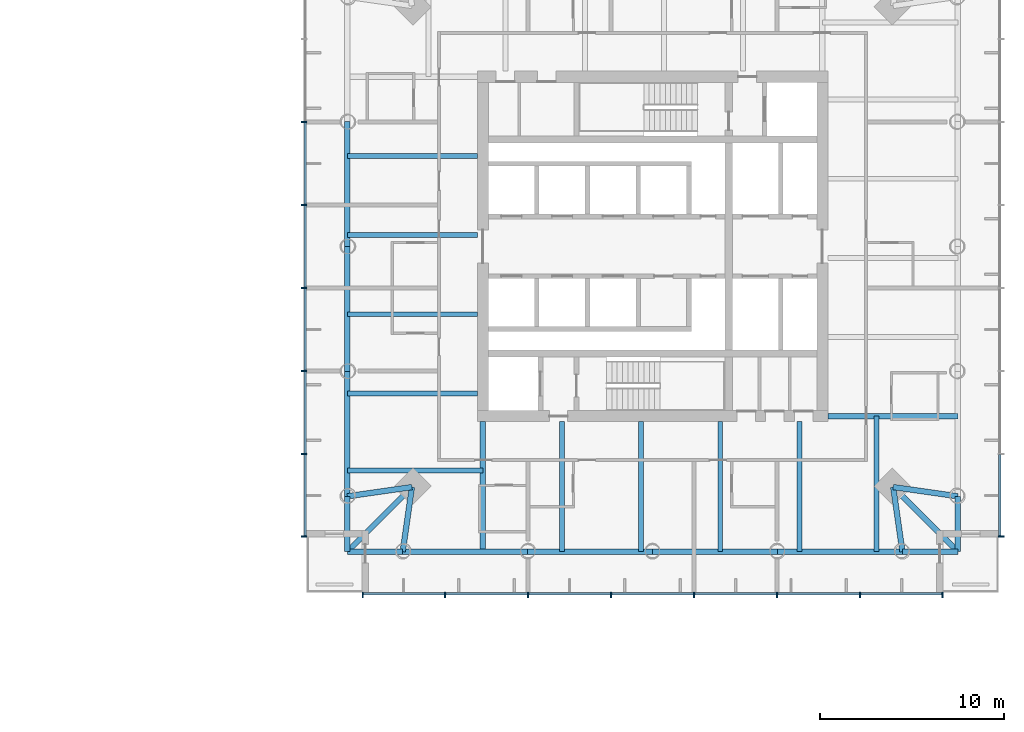
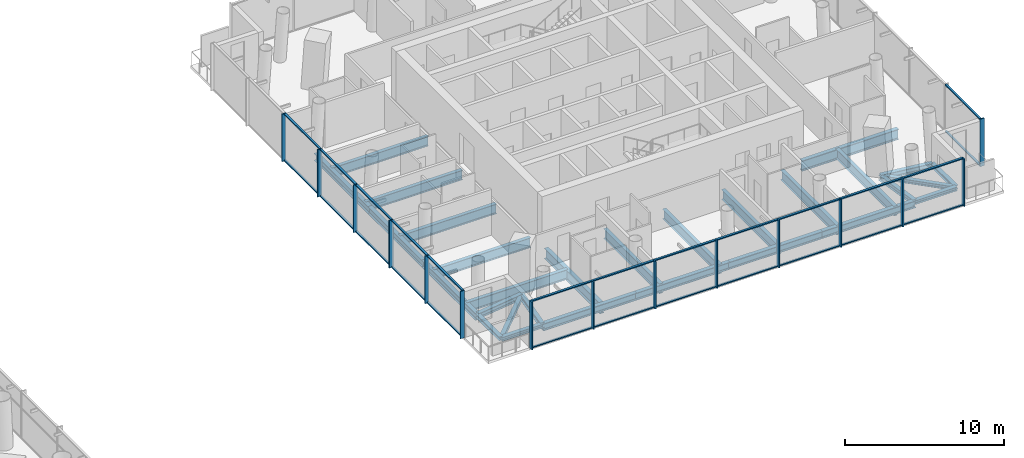
# One storey, part 6 of 24: 41 members, 29 beams, 3 elements without a shape of their own.
"""IFC4 building model written with IfcOpenShell, lengths in metres."""

from ifc_helpers import new_model, si_unit, direction, frame, origin, origin_2d, place, context, subcontext, project, spatial, rectangle, i_section, extrude, material, material_profile, profile_set, type_object, element, aggregate, save


model = new_model("IFC4")

# Units and contexts
model_context = context("Model", 3, precision=1e-05, world=origin(), true_north=direction((0.0, 1.0)))
body_context = subcontext(model_context, "Body", "Model", "MODEL_VIEW")
ifc_project = project(units=[si_unit("LENGTHUNIT", "METRE"), si_unit("AREAUNIT", "SQUARE_METRE"), si_unit("VOLUMEUNIT", "CUBIC_METRE"), si_unit("PLANEANGLEUNIT", "RADIAN"), si_unit("MASSUNIT", "GRAM", prefix="KILO")], contexts=[model_context])

# Site, building, storey
site_placement = place(None, origin())
site = spatial("IfcSite", under=ifc_project, at=site_placement, CompositionType="ELEMENT")
building_placement = place(site_placement, origin())
building = spatial("IfcBuilding", under=site, at=building_placement, Name="Ostroluk Exchange", CompositionType="ELEMENT")
storey_placement = place(building_placement, frame((0.0, 0.0, 78.0)))
storey = spatial("IfcBuildingStorey", under=building, at=storey_placement, Name="L19", CompositionType="ELEMENT", Elevation=78.0)

# Beams
ifc_material_1 = material(Name="Steel S355", Category="steel")
ifc_material_profile_1 = material_profile(ifc_material_1, i_section(OverallWidth=0.300048828125, OverallDepth=0.300048828125, WebThickness=0.010986328125, FlangeThickness=0.01904296875, FilletRadius=0.027099609375, at=origin_2d()), Name="HEB 300")
ifc_profile_set_1 = profile_set([ifc_material_profile_1], Name="Steel S355")
beam_type_1 = type_object("IfcBeamType", Name="Balcony beam HEB 300", PredefinedType="BEAM", material=ifc_profile_set_1)
for number, where, z_axis, x_axis, name in (
    (1, (100.456787109375, 32.456787109375, -0.35009765625), (0.0, -1.0, 0.0), (1.0, 0.0, 0.0), "T2 west balcony beam a"),
    (2, (103.456787109375, 29.456787109375, -0.35009765625), (-1.0, 0.0, 0.0), (0.0, -1.0, 0.0), "T2 west balcony beam b"),
):
    element("IfcBeam", number, at=place(storey_placement, frame(where, z_axis=z_axis, x_axis=x_axis)), inside=storey, type_object=beam_type_1, Name=name, PredefinedType="BEAM", context=body_context, shape_type="SweptSolid", body=[
        extrude(i_section(OverallWidth=0.300048828125, OverallDepth=0.300048828125, WebThickness=0.010986328125, FlangeThickness=0.01904296875, FilletRadius=0.027099609375, at=origin_2d()), origin(), (0.0, 0.0, 1.0), 3.0),
    ])
beam_1_placement = place(storey_placement, frame((103.956787109375, 32.956787109375, -0.35009765625), z_axis=(-0.707106781187, -0.707106781187, 0.0), x_axis=(0.707106781187, -0.707106781187, 0.0)))
element("IfcBeam", 3, at=beam_1_placement, inside=storey, type_object=beam_type_1, Name="T2 west balcony beam c", PredefinedType="BEAM", context=body_context, shape_type="SweptSolid", body=[
    extrude(i_section(OverallWidth=0.300048828125, OverallDepth=0.300048828125, WebThickness=0.010986328125, FlangeThickness=0.01904296875, FilletRadius=0.027099609375, at=origin_2d()), origin(), (0.0, 0.0, 1.0), 4.94970703125),
])
for number, where, z_axis, x_axis, name in (
    (4, (130.543212890625, 29.456787109375, -0.35009765625), (1.0, 0.0, 0.0), (0.0, 1.0, 0.0), "T2 south balcony beam a"),
    (5, (133.543212890625, 32.456787109375, -0.35009765625), (0.0, -1.0, 0.0), (1.0, 0.0, 0.0), "T2 south balcony beam b"),
):
    element("IfcBeam", number, at=place(storey_placement, frame(where, z_axis=z_axis, x_axis=x_axis)), inside=storey, type_object=beam_type_1, Name=name, PredefinedType="BEAM", context=body_context, shape_type="SweptSolid", body=[
        extrude(i_section(OverallWidth=0.300048828125, OverallDepth=0.300048828125, WebThickness=0.010986328125, FlangeThickness=0.01904296875, FilletRadius=0.027099609375, at=origin_2d()), origin(), (0.0, 0.0, 1.0), 3.0),
    ])
beam_2_placement = place(storey_placement, frame((130.043212890625, 32.956787109375, -0.35009765625), z_axis=(0.707106781187, -0.707106781187, 0.0), x_axis=(0.707106781187, 0.707106781187, 0.0)))
element("IfcBeam", 6, at=beam_2_placement, inside=storey, type_object=beam_type_1, Name="T2 south balcony beam c", PredefinedType="BEAM", context=body_context, shape_type="SweptSolid", body=[
    extrude(i_section(OverallWidth=0.300048828125, OverallDepth=0.300048828125, WebThickness=0.010986328125, FlangeThickness=0.01904296875, FilletRadius=0.027099609375, at=origin_2d()), origin(), (0.0, 0.0, 1.0), 4.94970703125),
])
ifc_material_2 = material(Name="Steel S355", Category="steel")
ifc_material_profile_2 = material_profile(ifc_material_2, i_section(OverallWidth=0.300048828125, OverallDepth=0.39990234375, WebThickness=0.013427734375, FlangeThickness=0.02392578125, FilletRadius=0.027099609375, at=origin_2d()), Name="HEB 400")
ifc_profile_set_2 = profile_set([ifc_material_profile_2], Name="Steel S355")
beam_type_2 = type_object("IfcBeamType", Name="Corner edge beam HEB 400", PredefinedType="SPANDREL", material=ifc_profile_set_2)
for number, where, z_axis, x_axis, name in (
    (7, (103.956787109375, 32.956787109375, -0.39990234375), (-0.989949493661, -0.141421356237, 0.0), (0.141421356237, -0.989949493661, 0.0), "T2 west corner edge beam a"),
    (8, (103.956787109375, 32.956787109375, -0.39990234375), (-0.141421356237, -0.989949493661, 0.0), (0.989949493661, -0.141421356237, 0.0), "T2 west corner edge beam b"),
    (9, (130.043212890625, 32.956787109375, -0.39990234375), (0.141421356237, -0.989949493661, 0.0), (0.989949493661, 0.141421356237, 0.0), "T2 south corner edge beam a"),
    (10, (130.043212890625, 32.956787109375, -0.39990234375), (0.989949493661, -0.141421356237, 0.0), (0.141421356237, 0.989949493661, 0.0), "T2 south corner edge beam b"),
):
    element("IfcBeam", number, at=place(storey_placement, frame(where, z_axis=z_axis, x_axis=x_axis)), inside=storey, type_object=beam_type_2, Name=name, PredefinedType="SPANDREL", context=body_context, shape_type="SweptSolid", body=[
        extrude(i_section(OverallWidth=0.300048828125, OverallDepth=0.39990234375, WebThickness=0.013427734375, FlangeThickness=0.02392578125, FilletRadius=0.027099609375, at=origin_2d()), origin(), (0.0, 0.0, 1.0), 3.53564453125),
    ])
ifc_material_3 = material(Name="Steel S355", Category="steel")
ifc_material_profile_3 = material_profile(ifc_material_3, i_section(OverallWidth=0.264892578125, OverallDepth=0.7529296875, WebThickness=0.01318359375, FlangeThickness=0.01708984375, FilletRadius=0.01708984375, at=origin_2d()), Name="IPE 750x147")
ifc_profile_set_3 = profile_set([ifc_material_profile_3], Name="Steel S355")
beam_type_3 = type_object("IfcBeamType", Name="Floor beam IPE 750x147", PredefinedType="BEAM", material=ifc_profile_set_3)
for number, where, z_axis, x_axis, name in (
    (11, (107.5, 50.909423828125, -0.576416015625), (-1.0, 0.0, 0.0), (0.0, -1.0, 0.0), "T2 west floor beam 1"),
    (12, (107.5, 46.618896484375, -0.576416015625), (-1.0, 0.0, 0.0), (0.0, -1.0, 0.0), "T2 west floor beam 2"),
    (13, (107.5, 42.328369140625, -0.576416015625), (-1.0, 0.0, 0.0), (0.0, -1.0, 0.0), "T2 west floor beam 3"),
    (14, (107.5, 38.037841796875, -0.576416015625), (-1.0, 0.0, 0.0), (0.0, -1.0, 0.0), "T2 west floor beam 4"),
):
    element("IfcBeam", number, at=place(storey_placement, frame(where, z_axis=z_axis, x_axis=x_axis)), inside=storey, type_object=beam_type_3, Name=name, PredefinedType="BEAM", context=body_context, shape_type="SweptSolid", body=[
        extrude(i_section(OverallWidth=0.264892578125, OverallDepth=0.7529296875, WebThickness=0.01318359375, FlangeThickness=0.01708984375, FilletRadius=0.01708984375, at=origin_2d()), origin(), (0.0, 0.0, 1.0), 7.043212890625),
    ])
beam_3_placement = place(storey_placement, frame((107.800048828125, 33.85693359375, -0.576416015625), z_axis=(-1.0, 0.0, 0.0), x_axis=(0.0, -1.0, 0.0)))
element("IfcBeam", 15, at=beam_3_placement, inside=storey, type_object=beam_type_3, Name="T2 west floor beam 5", PredefinedType="BEAM", context=body_context, shape_type="SweptSolid", body=[
    extrude(i_section(OverallWidth=0.264892578125, OverallDepth=0.7529296875, WebThickness=0.01318359375, FlangeThickness=0.01708984375, FilletRadius=0.01708984375, at=origin_2d()), origin(), (0.0, 0.0, 1.0), 7.34326171875),
])
for number, where, z_axis, x_axis, name in (
    (16, (112.090576171875, 36.5, -0.576416015625), (0.0, -1.0, 0.0), (1.0, 0.0, 0.0), "T2 south floor beam 1"),
    (17, (116.381103515625, 36.5, -0.576416015625), (0.0, -1.0, 0.0), (1.0, 0.0, 0.0), "T2 south floor beam 2"),
    (18, (120.671630859375, 36.5, -0.576416015625), (0.0, -1.0, 0.0), (1.0, 0.0, 0.0), "T2 south floor beam 3"),
    (19, (124.962158203125, 36.5, -0.576416015625), (0.0, -1.0, 0.0), (1.0, 0.0, 0.0), "T2 south floor beam 4"),
):
    element("IfcBeam", number, at=place(storey_placement, frame(where, z_axis=z_axis, x_axis=x_axis)), inside=storey, type_object=beam_type_3, Name=name, PredefinedType="BEAM", context=body_context, shape_type="SweptSolid", body=[
        extrude(i_section(OverallWidth=0.264892578125, OverallDepth=0.7529296875, WebThickness=0.01318359375, FlangeThickness=0.01708984375, FilletRadius=0.01708984375, at=origin_2d()), origin(), (0.0, 0.0, 1.0), 7.043212890625),
    ])
beam_4_placement = place(storey_placement, frame((129.14306640625, 36.800048828125, -0.576416015625), z_axis=(0.0, -1.0, 0.0), x_axis=(1.0, 0.0, 0.0)))
element("IfcBeam", 20, at=beam_4_placement, inside=storey, type_object=beam_type_3, Name="T2 south floor beam 5", PredefinedType="BEAM", context=body_context, shape_type="SweptSolid", body=[
    extrude(i_section(OverallWidth=0.264892578125, OverallDepth=0.7529296875, WebThickness=0.01318359375, FlangeThickness=0.01708984375, FilletRadius=0.01708984375, at=origin_2d()), origin(), (0.0, 0.0, 1.0), 7.34326171875),
])
ifc_material_4 = material(Name="Steel S355", Category="steel")
ifc_material_profile_4 = material_profile(ifc_material_4, i_section(OverallWidth=0.300048828125, OverallDepth=0.800048828125, WebThickness=0.017578125, FlangeThickness=0.032958984375, FilletRadius=0.030029296875, at=origin_2d()), Name="HEB 800")
ifc_profile_set_4 = profile_set([ifc_material_profile_4], Name="Steel S355")
beam_type_4 = type_object("IfcBeamType", Name="Girder HEB 800", PredefinedType="BEAM", material=ifc_profile_set_4)
for number, where, z_axis, x_axis, name in (
    (21, (107.800048828125, 36.5, -0.60009765625), (0.0, -1.0, 0.0), (1.0, 0.0, 0.0), "T2 west girder"),
    (22, (126.5, 36.800048828125, -0.60009765625), (1.0, 0.0, 0.0), (0.0, 1.0, 0.0), "T2 south girder"),
):
    element("IfcBeam", number, at=place(storey_placement, frame(where, z_axis=z_axis, x_axis=x_axis)), inside=storey, type_object=beam_type_4, Name=name, PredefinedType="BEAM", context=body_context, shape_type="SweptSolid", body=[
        extrude(i_section(OverallWidth=0.300048828125, OverallDepth=0.800048828125, WebThickness=0.017578125, FlangeThickness=0.032958984375, FilletRadius=0.030029296875, at=origin_2d()), origin(), (0.0, 0.0, 1.0), 7.043212890625),
    ])
ifc_material_5 = material(Name="Steel S355", Category="steel")
ifc_material_profile_5 = material_profile(ifc_material_5, i_section(OverallWidth=0.300048828125, OverallDepth=0.550048828125, WebThickness=0.014892578125, FlangeThickness=0.029052734375, FilletRadius=0.027099609375, at=origin_2d()), Name="HEB 550")
ifc_profile_set_5 = profile_set([ifc_material_profile_5], Name="Steel S355")
beam_type_5 = type_object("IfcBeamType", Name="Moment-connected edge beam HEB 550", PredefinedType="SPANDREL", material=ifc_profile_set_5)
for number, where, z_axis, x_axis, name in (
    (23, (100.456787109375, 52.771484375, -0.47509765625), (0.0, -1.0, 0.0), (1.0, 0.0, 0.0), "T2 west edge beam 2"),
    (24, (100.456787109375, 46.0, -0.47509765625), (0.0, -1.0, 0.0), (1.0, 0.0, 0.0), "T2 west edge beam 3"),
):
    element("IfcBeam", number, at=place(storey_placement, frame(where, z_axis=z_axis, x_axis=x_axis)), inside=storey, type_object=beam_type_5, Name=name, PredefinedType="SPANDREL", context=body_context, shape_type="SweptSolid", body=[
        extrude(i_section(OverallWidth=0.300048828125, OverallDepth=0.550048828125, WebThickness=0.014892578125, FlangeThickness=0.029052734375, FilletRadius=0.027099609375, at=origin_2d()), origin(), (0.0, 0.0, 1.0), 6.771484375),
    ])
for number, where, z_axis, x_axis, name in (
    (25, (100.456787109375, 39.228515625, -0.47509765625), (0.0, -1.0, 0.0), (1.0, 0.0, 0.0), "T2 west edge beam 4"),
    (26, (103.456787109375, 29.456787109375, -0.47509765625), (1.0, 0.0, 0.0), (0.0, 1.0, 0.0), "T2 south edge beam 1"),
):
    element("IfcBeam", number, at=place(storey_placement, frame(where, z_axis=z_axis, x_axis=x_axis)), inside=storey, type_object=beam_type_5, Name=name, PredefinedType="SPANDREL", context=body_context, shape_type="SweptSolid", body=[
        extrude(i_section(OverallWidth=0.300048828125, OverallDepth=0.550048828125, WebThickness=0.014892578125, FlangeThickness=0.029052734375, FilletRadius=0.027099609375, at=origin_2d()), origin(), (0.0, 0.0, 1.0), 6.771728515625),
    ])
for number, where, z_axis, x_axis, name in (
    (27, (110.228515625, 29.456787109375, -0.47509765625), (1.0, 0.0, 0.0), (0.0, 1.0, 0.0), "T2 south edge beam 2"),
    (28, (117.0, 29.456787109375, -0.47509765625), (1.0, 0.0, 0.0), (0.0, 1.0, 0.0), "T2 south edge beam 3"),
):
    element("IfcBeam", number, at=place(storey_placement, frame(where, z_axis=z_axis, x_axis=x_axis)), inside=storey, type_object=beam_type_5, Name=name, PredefinedType="SPANDREL", context=body_context, shape_type="SweptSolid", body=[
        extrude(i_section(OverallWidth=0.300048828125, OverallDepth=0.550048828125, WebThickness=0.014892578125, FlangeThickness=0.029052734375, FilletRadius=0.027099609375, at=origin_2d()), origin(), (0.0, 0.0, 1.0), 6.771484375),
    ])
beam_5_placement = place(storey_placement, frame((123.771484375, 29.456787109375, -0.47509765625), z_axis=(1.0, 0.0, 0.0), x_axis=(0.0, 1.0, 0.0)))
element("IfcBeam", 29, at=beam_5_placement, inside=storey, type_object=beam_type_5, Name="T2 south edge beam 4", PredefinedType="SPANDREL", context=body_context, shape_type="SweptSolid", body=[
    extrude(i_section(OverallWidth=0.300048828125, OverallDepth=0.550048828125, WebThickness=0.014892578125, FlangeThickness=0.029052734375, FilletRadius=0.027099609375, at=origin_2d()), origin(), (0.0, 0.0, 1.0), 6.771728515625),
])

# Curtain wall, members
ifc_material_6 = material(Name="Laminated clear glass", Category="glass")
curtain_wall_type = type_object("IfcCurtainWallType", Name="Hotel guest floor facade", PredefinedType="USERDEFINED", material=ifc_material_6)
curtain_wall_1_placement = place(storey_placement, origin())
curtain_wall_1 = element("IfcCurtainWall", 30, at=curtain_wall_1_placement, inside=storey, type_object=curtain_wall_type, Name="Hotel tower south facade L19", ObjectType="UNITISED CURTAIN WALL", PredefinedType="USERDEFINED")
ifc_material_7 = material(Name="Aluminium mullion", Category="aluminium")
ifc_material_profile_6 = material_profile(ifc_material_7, rectangle(XDim=0.14990234375, YDim=0.080078125, at=origin_2d()), Name="Sill transom 80 x 150")
ifc_profile_set_6 = profile_set([ifc_material_profile_6], Name="Aluminium mullion")
member_type_1 = type_object("IfcMemberType", Name="Sill transom 80 x 150", PredefinedType="USERDEFINED", material=ifc_profile_set_6)
member_1_placement = place(storey_placement, frame((101.330078125, 27.175048828125, 0.0400390625), z_axis=(1.0, 0.0, 0.0), x_axis=(0.0, 1.0, 0.0)))
member_1 = element("IfcMember", 31, at=member_1_placement, type_object=member_type_1, Name="CW-H1 transom 1.1", ObjectType="TRANSOM", PredefinedType="USERDEFINED", context=body_context, shape_type="SweptSolid", body=[
    extrude(rectangle(XDim=0.14990234375, YDim=0.080078125, at=origin_2d()), origin(), (0.0, 0.0, 1.0), 4.3798828125),
])
member_2_placement = place(storey_placement, frame((101.330078125, 27.175048828125, 3.610107421875), z_axis=(1.0, 0.0, 0.0), x_axis=(0.0, 1.0, 0.0)))
member_2 = element("IfcMember", 32, at=member_2_placement, type_object=member_type_1, Name="CW-H1 transom 1.2", ObjectType="TRANSOM", PredefinedType="USERDEFINED", context=body_context, shape_type="SweptSolid", body=[
    extrude(rectangle(XDim=0.14990234375, YDim=0.080078125, at=origin_2d()), origin(), (0.0, 0.0, 1.0), 4.3798828125),
])
member_3_placement = place(storey_placement, frame((105.7900390625, 27.175048828125, 0.0400390625), z_axis=(1.0, 0.0, 0.0), x_axis=(0.0, 1.0, 0.0)))
member_3 = element("IfcMember", 33, at=member_3_placement, type_object=member_type_1, Name="CW-H1 transom 2.1", ObjectType="TRANSOM", PredefinedType="USERDEFINED", context=body_context, shape_type="SweptSolid", body=[
    extrude(rectangle(XDim=0.14990234375, YDim=0.080078125, at=origin_2d()), origin(), (0.0, 0.0, 1.0), 4.419921875),
])
member_4_placement = place(storey_placement, frame((105.7900390625, 27.175048828125, 3.610107421875), z_axis=(1.0, 0.0, 0.0), x_axis=(0.0, 1.0, 0.0)))
member_4 = element("IfcMember", 34, at=member_4_placement, type_object=member_type_1, Name="CW-H1 transom 2.2", ObjectType="TRANSOM", PredefinedType="USERDEFINED", context=body_context, shape_type="SweptSolid", body=[
    extrude(rectangle(XDim=0.14990234375, YDim=0.080078125, at=origin_2d()), origin(), (0.0, 0.0, 1.0), 4.419921875),
])
member_5_placement = place(storey_placement, frame((110.2900390625, 27.175048828125, 0.0400390625), z_axis=(1.0, 0.0, 0.0), x_axis=(0.0, 1.0, 0.0)))
member_5 = element("IfcMember", 35, at=member_5_placement, type_object=member_type_1, Name="CW-H1 transom 3.1", ObjectType="TRANSOM", PredefinedType="USERDEFINED", context=body_context, shape_type="SweptSolid", body=[
    extrude(rectangle(XDim=0.14990234375, YDim=0.080078125, at=origin_2d()), origin(), (0.0, 0.0, 1.0), 4.419921875),
])
member_6_placement = place(storey_placement, frame((110.2900390625, 27.175048828125, 3.610107421875), z_axis=(1.0, 0.0, 0.0), x_axis=(0.0, 1.0, 0.0)))
member_6 = element("IfcMember", 36, at=member_6_placement, type_object=member_type_1, Name="CW-H1 transom 3.2", ObjectType="TRANSOM", PredefinedType="USERDEFINED", context=body_context, shape_type="SweptSolid", body=[
    extrude(rectangle(XDim=0.14990234375, YDim=0.080078125, at=origin_2d()), origin(), (0.0, 0.0, 1.0), 4.419921875),
])
member_7_placement = place(storey_placement, frame((114.7900390625, 27.175048828125, 0.0400390625), z_axis=(1.0, 0.0, 0.0), x_axis=(0.0, 1.0, 0.0)))
member_7 = element("IfcMember", 37, at=member_7_placement, type_object=member_type_1, Name="CW-H1 transom 4.1", ObjectType="TRANSOM", PredefinedType="USERDEFINED", context=body_context, shape_type="SweptSolid", body=[
    extrude(rectangle(XDim=0.14990234375, YDim=0.080078125, at=origin_2d()), origin(), (0.0, 0.0, 1.0), 4.419921875),
])
member_8_placement = place(storey_placement, frame((114.7900390625, 27.175048828125, 3.610107421875), z_axis=(1.0, 0.0, 0.0), x_axis=(0.0, 1.0, 0.0)))
member_8 = element("IfcMember", 38, at=member_8_placement, type_object=member_type_1, Name="CW-H1 transom 4.2", ObjectType="TRANSOM", PredefinedType="USERDEFINED", context=body_context, shape_type="SweptSolid", body=[
    extrude(rectangle(XDim=0.14990234375, YDim=0.080078125, at=origin_2d()), origin(), (0.0, 0.0, 1.0), 4.419921875),
])
member_9_placement = place(storey_placement, frame((119.2900390625, 27.175048828125, 0.0400390625), z_axis=(1.0, 0.0, 0.0), x_axis=(0.0, 1.0, 0.0)))
member_9 = element("IfcMember", 39, at=member_9_placement, type_object=member_type_1, Name="CW-H1 transom 5.1", ObjectType="TRANSOM", PredefinedType="USERDEFINED", context=body_context, shape_type="SweptSolid", body=[
    extrude(rectangle(XDim=0.14990234375, YDim=0.080078125, at=origin_2d()), origin(), (0.0, 0.0, 1.0), 4.419921875),
])
member_10_placement = place(storey_placement, frame((119.2900390625, 27.175048828125, 3.610107421875), z_axis=(1.0, 0.0, 0.0), x_axis=(0.0, 1.0, 0.0)))
member_10 = element("IfcMember", 40, at=member_10_placement, type_object=member_type_1, Name="CW-H1 transom 5.2", ObjectType="TRANSOM", PredefinedType="USERDEFINED", context=body_context, shape_type="SweptSolid", body=[
    extrude(rectangle(XDim=0.14990234375, YDim=0.080078125, at=origin_2d()), origin(), (0.0, 0.0, 1.0), 4.419921875),
])
member_11_placement = place(storey_placement, frame((123.7900390625, 27.175048828125, 0.0400390625), z_axis=(1.0, 0.0, 0.0), x_axis=(0.0, 1.0, 0.0)))
member_11 = element("IfcMember", 41, at=member_11_placement, type_object=member_type_1, Name="CW-H1 transom 6.1", ObjectType="TRANSOM", PredefinedType="USERDEFINED", context=body_context, shape_type="SweptSolid", body=[
    extrude(rectangle(XDim=0.14990234375, YDim=0.080078125, at=origin_2d()), origin(), (0.0, 0.0, 1.0), 4.419921875),
])
member_12_placement = place(storey_placement, frame((123.7900390625, 27.175048828125, 3.610107421875), z_axis=(1.0, 0.0, 0.0), x_axis=(0.0, 1.0, 0.0)))
member_12 = element("IfcMember", 42, at=member_12_placement, type_object=member_type_1, Name="CW-H1 transom 6.2", ObjectType="TRANSOM", PredefinedType="USERDEFINED", context=body_context, shape_type="SweptSolid", body=[
    extrude(rectangle(XDim=0.14990234375, YDim=0.080078125, at=origin_2d()), origin(), (0.0, 0.0, 1.0), 4.419921875),
])
member_13_placement = place(storey_placement, frame((128.2900390625, 27.175048828125, 0.0400390625), z_axis=(1.0, 0.0, 0.0), x_axis=(0.0, 1.0, 0.0)))
member_13 = element("IfcMember", 43, at=member_13_placement, type_object=member_type_1, Name="CW-H1 transom 7.1", ObjectType="TRANSOM", PredefinedType="USERDEFINED", context=body_context, shape_type="SweptSolid", body=[
    extrude(rectangle(XDim=0.14990234375, YDim=0.080078125, at=origin_2d()), origin(), (0.0, 0.0, 1.0), 4.3798828125),
])
member_14_placement = place(storey_placement, frame((128.2900390625, 27.175048828125, 3.610107421875), z_axis=(1.0, 0.0, 0.0), x_axis=(0.0, 1.0, 0.0)))
member_14 = element("IfcMember", 44, at=member_14_placement, type_object=member_type_1, Name="CW-H1 transom 7.2", ObjectType="TRANSOM", PredefinedType="USERDEFINED", context=body_context, shape_type="SweptSolid", body=[
    extrude(rectangle(XDim=0.14990234375, YDim=0.080078125, at=origin_2d()), origin(), (0.0, 0.0, 1.0), 4.3798828125),
])

curtain_wall_2_placement = place(storey_placement, origin())
curtain_wall_2 = element("IfcCurtainWall", 45, at=curtain_wall_2_placement, inside=storey, type_object=curtain_wall_type, Name="Hotel tower east facade L19", ObjectType="UNITISED CURTAIN WALL", PredefinedType="USERDEFINED")
member_15_placement = place(storey_placement, frame((135.824951171875, 30.330078125, 0.0400390625), z_axis=(0.0, 1.0, 0.0), x_axis=(-1.0, 0.0, 0.0)))
member_15 = element("IfcMember", 46, at=member_15_placement, type_object=member_type_1, Name="CW-H1 transom 1.1", ObjectType="TRANSOM", PredefinedType="USERDEFINED", context=body_context, shape_type="SweptSolid", body=[
    extrude(rectangle(XDim=0.14990234375, YDim=0.080078125, at=origin_2d()), origin(), (0.0, 0.0, 1.0), 4.3798828125),
])
member_16_placement = place(storey_placement, frame((135.824951171875, 30.330078125, 3.610107421875), z_axis=(0.0, 1.0, 0.0), x_axis=(-1.0, 0.0, 0.0)))
member_16 = element("IfcMember", 47, at=member_16_placement, type_object=member_type_1, Name="CW-H1 transom 1.2", ObjectType="TRANSOM", PredefinedType="USERDEFINED", context=body_context, shape_type="SweptSolid", body=[
    extrude(rectangle(XDim=0.14990234375, YDim=0.080078125, at=origin_2d()), origin(), (0.0, 0.0, 1.0), 4.3798828125),
])

curtain_wall_3_placement = place(storey_placement, origin())
curtain_wall_3 = element("IfcCurtainWall", 48, at=curtain_wall_3_placement, inside=storey, type_object=curtain_wall_type, Name="Hotel tower west facade L19", ObjectType="UNITISED CURTAIN WALL", PredefinedType="USERDEFINED")
member_17_placement = place(storey_placement, frame((98.175048828125, 52.7099609375, 0.0400390625), z_axis=(0.0, -1.0, 0.0), x_axis=(1.0, 0.0, 0.0)))
member_17 = element("IfcMember", 49, at=member_17_placement, type_object=member_type_1, Name="CW-H1 transom 3.1", ObjectType="TRANSOM", PredefinedType="USERDEFINED", context=body_context, shape_type="SweptSolid", body=[
    extrude(rectangle(XDim=0.14990234375, YDim=0.080078125, at=origin_2d()), origin(), (0.0, 0.0, 1.0), 4.419921875),
])
member_18_placement = place(storey_placement, frame((98.175048828125, 52.7099609375, 3.610107421875), z_axis=(0.0, -1.0, 0.0), x_axis=(1.0, 0.0, 0.0)))
member_18 = element("IfcMember", 50, at=member_18_placement, type_object=member_type_1, Name="CW-H1 transom 3.2", ObjectType="TRANSOM", PredefinedType="USERDEFINED", context=body_context, shape_type="SweptSolid", body=[
    extrude(rectangle(XDim=0.14990234375, YDim=0.080078125, at=origin_2d()), origin(), (0.0, 0.0, 1.0), 4.419921875),
])
member_19_placement = place(storey_placement, frame((98.175048828125, 48.2099609375, 0.0400390625), z_axis=(0.0, -1.0, 0.0), x_axis=(1.0, 0.0, 0.0)))
member_19 = element("IfcMember", 51, at=member_19_placement, type_object=member_type_1, Name="CW-H1 transom 4.1", ObjectType="TRANSOM", PredefinedType="USERDEFINED", context=body_context, shape_type="SweptSolid", body=[
    extrude(rectangle(XDim=0.14990234375, YDim=0.080078125, at=origin_2d()), origin(), (0.0, 0.0, 1.0), 4.419921875),
])
member_20_placement = place(storey_placement, frame((98.175048828125, 48.2099609375, 3.610107421875), z_axis=(0.0, -1.0, 0.0), x_axis=(1.0, 0.0, 0.0)))
member_20 = element("IfcMember", 52, at=member_20_placement, type_object=member_type_1, Name="CW-H1 transom 4.2", ObjectType="TRANSOM", PredefinedType="USERDEFINED", context=body_context, shape_type="SweptSolid", body=[
    extrude(rectangle(XDim=0.14990234375, YDim=0.080078125, at=origin_2d()), origin(), (0.0, 0.0, 1.0), 4.419921875),
])
member_21_placement = place(storey_placement, frame((98.175048828125, 43.7099609375, 0.0400390625), z_axis=(0.0, -1.0, 0.0), x_axis=(1.0, 0.0, 0.0)))
member_21 = element("IfcMember", 53, at=member_21_placement, type_object=member_type_1, Name="CW-H1 transom 5.1", ObjectType="TRANSOM", PredefinedType="USERDEFINED", context=body_context, shape_type="SweptSolid", body=[
    extrude(rectangle(XDim=0.14990234375, YDim=0.080078125, at=origin_2d()), origin(), (0.0, 0.0, 1.0), 4.419921875),
])
member_22_placement = place(storey_placement, frame((98.175048828125, 43.7099609375, 3.610107421875), z_axis=(0.0, -1.0, 0.0), x_axis=(1.0, 0.0, 0.0)))
member_22 = element("IfcMember", 54, at=member_22_placement, type_object=member_type_1, Name="CW-H1 transom 5.2", ObjectType="TRANSOM", PredefinedType="USERDEFINED", context=body_context, shape_type="SweptSolid", body=[
    extrude(rectangle(XDim=0.14990234375, YDim=0.080078125, at=origin_2d()), origin(), (0.0, 0.0, 1.0), 4.419921875),
])
member_23_placement = place(storey_placement, frame((98.175048828125, 39.2099609375, 0.0400390625), z_axis=(0.0, -1.0, 0.0), x_axis=(1.0, 0.0, 0.0)))
member_23 = element("IfcMember", 55, at=member_23_placement, type_object=member_type_1, Name="CW-H1 transom 6.1", ObjectType="TRANSOM", PredefinedType="USERDEFINED", context=body_context, shape_type="SweptSolid", body=[
    extrude(rectangle(XDim=0.14990234375, YDim=0.080078125, at=origin_2d()), origin(), (0.0, 0.0, 1.0), 4.419921875),
])
member_24_placement = place(storey_placement, frame((98.175048828125, 39.2099609375, 3.610107421875), z_axis=(0.0, -1.0, 0.0), x_axis=(1.0, 0.0, 0.0)))
member_24 = element("IfcMember", 56, at=member_24_placement, type_object=member_type_1, Name="CW-H1 transom 6.2", ObjectType="TRANSOM", PredefinedType="USERDEFINED", context=body_context, shape_type="SweptSolid", body=[
    extrude(rectangle(XDim=0.14990234375, YDim=0.080078125, at=origin_2d()), origin(), (0.0, 0.0, 1.0), 4.419921875),
])
member_25_placement = place(storey_placement, frame((98.175048828125, 34.7099609375, 0.0400390625), z_axis=(0.0, -1.0, 0.0), x_axis=(1.0, 0.0, 0.0)))
member_25 = element("IfcMember", 57, at=member_25_placement, type_object=member_type_1, Name="CW-H1 transom 7.1", ObjectType="TRANSOM", PredefinedType="USERDEFINED", context=body_context, shape_type="SweptSolid", body=[
    extrude(rectangle(XDim=0.14990234375, YDim=0.080078125, at=origin_2d()), origin(), (0.0, 0.0, 1.0), 4.3798828125),
])
member_26_placement = place(storey_placement, frame((98.175048828125, 34.7099609375, 3.610107421875), z_axis=(0.0, -1.0, 0.0), x_axis=(1.0, 0.0, 0.0)))
member_26 = element("IfcMember", 58, at=member_26_placement, type_object=member_type_1, Name="CW-H1 transom 7.2", ObjectType="TRANSOM", PredefinedType="USERDEFINED", context=body_context, shape_type="SweptSolid", body=[
    extrude(rectangle(XDim=0.14990234375, YDim=0.080078125, at=origin_2d()), origin(), (0.0, 0.0, 1.0), 4.3798828125),
])

# Member
ifc_material_8 = material(Name="Aluminium mullion with limestone facing", Category="masonry")
ifc_material_profile_7 = material_profile(ifc_material_8, rectangle(XDim=0.300048828125, YDim=0.080078125, at=origin_2d()), Name="Tracery mullion 80 x 300")
ifc_profile_set_7 = profile_set([ifc_material_profile_7], Name="Aluminium mullion with limestone facing")
member_type_2 = type_object("IfcMemberType", Name="Tracery mullion 80 x 300", PredefinedType="MULLION", material=ifc_profile_set_7)
member_27_placement = place(storey_placement, frame((101.2900390625, 27.10009765625, 0.0), z_axis=(0.0, 0.0, 1.0), x_axis=(0.0, 1.0, 0.0)))
member_27 = element("IfcMember", 59, at=member_27_placement, type_object=member_type_2, Name="CW-H1 mullion 1", PredefinedType="MULLION", context=body_context, shape_type="SweptSolid", body=[
    extrude(rectangle(XDim=0.300048828125, YDim=0.080078125, at=origin_2d()), origin(), (0.0, 0.0, 1.0), 3.64990234375),
])

member_28_placement = place(storey_placement, frame((105.75, 27.10009765625, 0.0), z_axis=(0.0, 0.0, 1.0), x_axis=(0.0, 1.0, 0.0)))
member_28 = element("IfcMember", 60, at=member_28_placement, type_object=member_type_2, Name="CW-H1 mullion 2", PredefinedType="MULLION", context=body_context, shape_type="SweptSolid", body=[
    extrude(rectangle(XDim=0.300048828125, YDim=0.080078125, at=origin_2d()), origin(), (0.0, 0.0, 1.0), 3.64990234375),
])

member_29_placement = place(storey_placement, frame((110.25, 27.10009765625, 0.0), z_axis=(0.0, 0.0, 1.0), x_axis=(0.0, 1.0, 0.0)))
member_29 = element("IfcMember", 61, at=member_29_placement, type_object=member_type_2, Name="CW-H1 mullion 3", PredefinedType="MULLION", context=body_context, shape_type="SweptSolid", body=[
    extrude(rectangle(XDim=0.300048828125, YDim=0.080078125, at=origin_2d()), origin(), (0.0, 0.0, 1.0), 3.64990234375),
])

member_30_placement = place(storey_placement, frame((114.75, 27.10009765625, 0.0), z_axis=(0.0, 0.0, 1.0), x_axis=(0.0, 1.0, 0.0)))
member_30 = element("IfcMember", 62, at=member_30_placement, type_object=member_type_2, Name="CW-H1 mullion 4", PredefinedType="MULLION", context=body_context, shape_type="SweptSolid", body=[
    extrude(rectangle(XDim=0.300048828125, YDim=0.080078125, at=origin_2d()), origin(), (0.0, 0.0, 1.0), 3.64990234375),
])

member_31_placement = place(storey_placement, frame((119.25, 27.10009765625, 0.0), z_axis=(0.0, 0.0, 1.0), x_axis=(0.0, 1.0, 0.0)))
member_31 = element("IfcMember", 63, at=member_31_placement, type_object=member_type_2, Name="CW-H1 mullion 5", PredefinedType="MULLION", context=body_context, shape_type="SweptSolid", body=[
    extrude(rectangle(XDim=0.300048828125, YDim=0.080078125, at=origin_2d()), origin(), (0.0, 0.0, 1.0), 3.64990234375),
])

member_32_placement = place(storey_placement, frame((123.75, 27.10009765625, 0.0), z_axis=(0.0, 0.0, 1.0), x_axis=(0.0, 1.0, 0.0)))
member_32 = element("IfcMember", 64, at=member_32_placement, type_object=member_type_2, Name="CW-H1 mullion 6", PredefinedType="MULLION", context=body_context, shape_type="SweptSolid", body=[
    extrude(rectangle(XDim=0.300048828125, YDim=0.080078125, at=origin_2d()), origin(), (0.0, 0.0, 1.0), 3.64990234375),
])

member_33_placement = place(storey_placement, frame((128.25, 27.10009765625, 0.0), z_axis=(0.0, 0.0, 1.0), x_axis=(0.0, 1.0, 0.0)))
member_33 = element("IfcMember", 65, at=member_33_placement, type_object=member_type_2, Name="CW-H1 mullion 7", PredefinedType="MULLION", context=body_context, shape_type="SweptSolid", body=[
    extrude(rectangle(XDim=0.300048828125, YDim=0.080078125, at=origin_2d()), origin(), (0.0, 0.0, 1.0), 3.64990234375),
])

member_34_placement = place(storey_placement, frame((132.7099609375, 27.10009765625, 0.0), z_axis=(0.0, 0.0, 1.0), x_axis=(0.0, 1.0, 0.0)))
member_34 = element("IfcMember", 66, at=member_34_placement, type_object=member_type_2, Name="CW-H1 mullion 8", PredefinedType="MULLION", context=body_context, shape_type="SweptSolid", body=[
    extrude(rectangle(XDim=0.300048828125, YDim=0.080078125, at=origin_2d()), origin(), (0.0, 0.0, 1.0), 3.64990234375),
])

aggregate(curtain_wall_1, [member_27, member_28, member_29, member_30, member_31, member_32, member_33, member_34, member_1, member_2, member_3, member_4, member_5, member_6, member_7, member_8, member_9, member_10, member_11, member_12, member_13, member_14])

member_35_placement = place(storey_placement, frame((135.89990234375, 30.2900390625, 0.0), z_axis=(0.0, 0.0, 1.0), x_axis=(-1.0, 0.0, 0.0)))
member_35 = element("IfcMember", 67, at=member_35_placement, type_object=member_type_2, Name="CW-H1 mullion 1", PredefinedType="MULLION", context=body_context, shape_type="SweptSolid", body=[
    extrude(rectangle(XDim=0.300048828125, YDim=0.080078125, at=origin_2d()), origin(), (0.0, 0.0, 1.0), 3.64990234375),
])

aggregate(curtain_wall_2, [member_35, member_15, member_16])

member_36_placement = place(storey_placement, frame((98.10009765625, 52.75, 0.0), z_axis=(0.0, 0.0, 1.0), x_axis=(1.0, 0.0, 0.0)))
member_36 = element("IfcMember", 68, at=member_36_placement, type_object=member_type_2, Name="CW-H1 mullion 3", PredefinedType="MULLION", context=body_context, shape_type="SweptSolid", body=[
    extrude(rectangle(XDim=0.300048828125, YDim=0.080078125, at=origin_2d()), origin(), (0.0, 0.0, 1.0), 3.64990234375),
])

member_37_placement = place(storey_placement, frame((98.10009765625, 48.25, 0.0), z_axis=(0.0, 0.0, 1.0), x_axis=(1.0, 0.0, 0.0)))
member_37 = element("IfcMember", 69, at=member_37_placement, type_object=member_type_2, Name="CW-H1 mullion 4", PredefinedType="MULLION", context=body_context, shape_type="SweptSolid", body=[
    extrude(rectangle(XDim=0.300048828125, YDim=0.080078125, at=origin_2d()), origin(), (0.0, 0.0, 1.0), 3.64990234375),
])

member_38_placement = place(storey_placement, frame((98.10009765625, 43.75, 0.0), z_axis=(0.0, 0.0, 1.0), x_axis=(1.0, 0.0, 0.0)))
member_38 = element("IfcMember", 70, at=member_38_placement, type_object=member_type_2, Name="CW-H1 mullion 5", PredefinedType="MULLION", context=body_context, shape_type="SweptSolid", body=[
    extrude(rectangle(XDim=0.300048828125, YDim=0.080078125, at=origin_2d()), origin(), (0.0, 0.0, 1.0), 3.64990234375),
])

member_39_placement = place(storey_placement, frame((98.10009765625, 39.25, 0.0), z_axis=(0.0, 0.0, 1.0), x_axis=(1.0, 0.0, 0.0)))
member_39 = element("IfcMember", 71, at=member_39_placement, type_object=member_type_2, Name="CW-H1 mullion 6", PredefinedType="MULLION", context=body_context, shape_type="SweptSolid", body=[
    extrude(rectangle(XDim=0.300048828125, YDim=0.080078125, at=origin_2d()), origin(), (0.0, 0.0, 1.0), 3.64990234375),
])

member_40_placement = place(storey_placement, frame((98.10009765625, 34.75, 0.0), z_axis=(0.0, 0.0, 1.0), x_axis=(1.0, 0.0, 0.0)))
member_40 = element("IfcMember", 72, at=member_40_placement, type_object=member_type_2, Name="CW-H1 mullion 7", PredefinedType="MULLION", context=body_context, shape_type="SweptSolid", body=[
    extrude(rectangle(XDim=0.300048828125, YDim=0.080078125, at=origin_2d()), origin(), (0.0, 0.0, 1.0), 3.64990234375),
])

member_41_placement = place(storey_placement, frame((98.10009765625, 30.2900390625, 0.0), z_axis=(0.0, 0.0, 1.0), x_axis=(1.0, 0.0, 0.0)))
member_41 = element("IfcMember", 73, at=member_41_placement, type_object=member_type_2, Name="CW-H1 mullion 8", PredefinedType="MULLION", context=body_context, shape_type="SweptSolid", body=[
    extrude(rectangle(XDim=0.300048828125, YDim=0.080078125, at=origin_2d()), origin(), (0.0, 0.0, 1.0), 3.64990234375),
])

aggregate(curtain_wall_3, [member_36, member_37, member_38, member_39, member_40, member_41, member_17, member_18, member_19, member_20, member_21, member_22, member_23, member_24, member_25, member_26])

save(model, "model.ifc")
